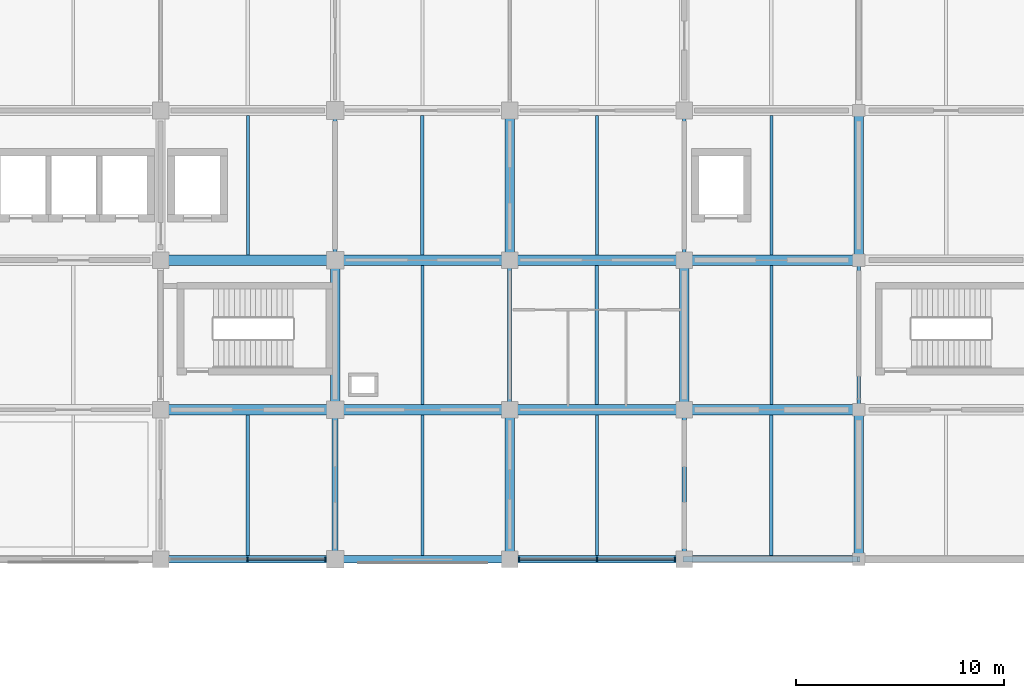
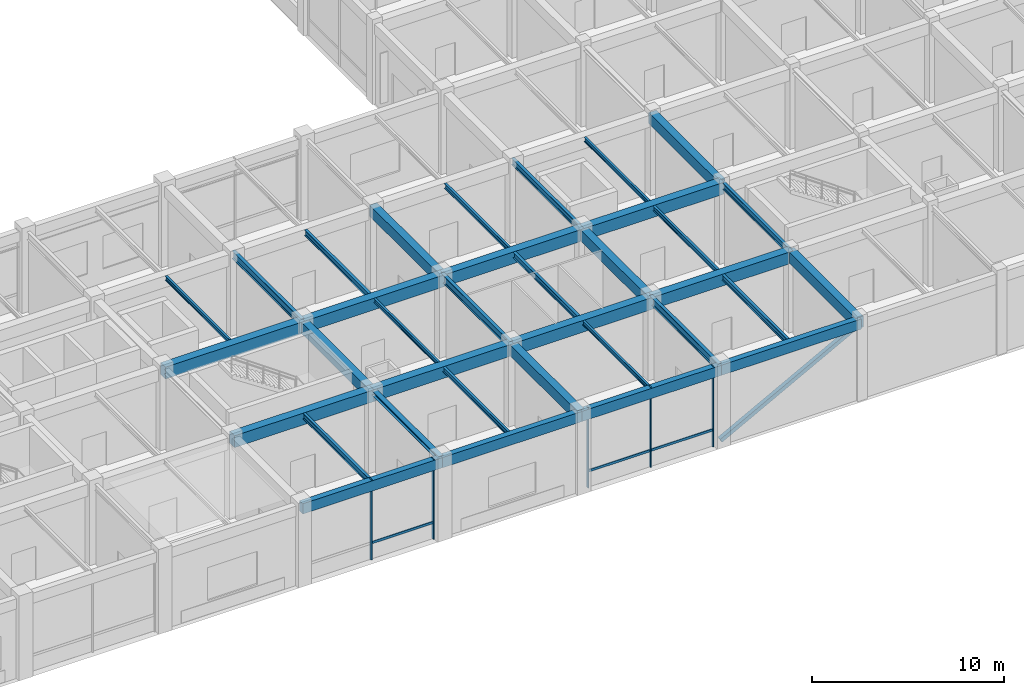
# One storey, part 9 of 38: 35 beams, 9 members, 2 elements without a shape of their own.
"""IFC4 building model written with IfcOpenShell, lengths in metres."""

from ifc_helpers import new_model, si_unit, derived_unit, direction, frame, origin, origin_2d, place, context, subcontext, project, spatial, rectangle, hollow_rectangle, i_section, extrude, material, material_profile, profile_set, type_object, element, aggregate, save


model = new_model("IFC4")

# Units and contexts
model_context = context("Model", 3, precision=1e-05, world=origin(), true_north=direction((0.0, 1.0)))
body_context = subcontext(model_context, "Body", "Model", "MODEL_VIEW")
ifc_project = project(units=[si_unit("LENGTHUNIT", "METRE"), si_unit("AREAUNIT", "SQUARE_METRE"), si_unit("VOLUMEUNIT", "CUBIC_METRE"), si_unit("PLANEANGLEUNIT", "RADIAN"), si_unit("MASSUNIT", "GRAM", prefix="KILO"), derived_unit("THERMALTRANSMITTANCEUNIT", [(si_unit("MASSUNIT", "GRAM", prefix="KILO"), 1), (si_unit("TIMEUNIT", "SECOND"), -3), (si_unit("THERMODYNAMICTEMPERATUREUNIT", "KELVIN"), -1)])], contexts=[model_context])

# Site, building, storey
site_placement = place(None, origin())
site = spatial("IfcSite", under=ifc_project, at=site_placement, CompositionType="ELEMENT")
building_placement = place(site_placement, origin())
building = spatial("IfcBuilding", under=site, at=building_placement, Name="Veldstrom Oceanarium and Marine Research Institute", CompositionType="ELEMENT")
storey_placement = place(building_placement, frame((0.0, 0.0, 11.39990234375)))
storey = spatial("IfcBuildingStorey", under=building, at=storey_placement, Name="L02", CompositionType="ELEMENT", Elevation=11.39990234375)

# Curtain wall, members
ifc_material_1 = material(Name="Anodised Aluminium Framing", Category="aluminium")
curtain_wall_type = type_object("IfcCurtainWallType", Name="ARC-CW-CW02", PredefinedType="USERDEFINED", material=ifc_material_1)
curtain_wall_1_placement = place(storey_placement, origin())
curtain_wall_1 = element("IfcCurtainWall", 1, at=curtain_wall_1_placement, inside=storey, type_object=curtain_wall_type, Name="Curtain Wall CW02 CW-L02-033", ObjectType="Curtain wall", PredefinedType="USERDEFINED")
ifc_material_2 = material(Name="Anodised Aluminium Framing", Category="aluminium")
ifc_material_profile_1 = material_profile(ifc_material_2, rectangle(XDim=0.074951171875, YDim=0.179931640625, at=origin_2d()), Name="ALU-MUL-75x180")
ifc_profile_set_1 = profile_set([ifc_material_profile_1], Name="Anodised Aluminium Framing")
member_type_1 = type_object("IfcMemberType", Name="ARC-MUL-ML1", PredefinedType="MULLION", material=ifc_profile_set_1)
member_1_placement = place(storey_placement, frame((96.58740234375, 43.199951171875, 0.0), z_axis=(0.0, 0.0, 1.0), x_axis=(1.0, 0.0, 0.0)))
member_1 = element("IfcMember", 2, at=member_1_placement, type_object=member_type_1, Name="Curtain Wall Mullion CW-L02-033-MUL-2", PredefinedType="MULLION", context=body_context, shape_type="SweptSolid", body=[
    extrude(rectangle(XDim=0.074951171875, YDim=0.179931640625, at=origin_2d()), origin(), (0.0, 0.0, 1.0), 5.10009765625),
])
member_2_placement = place(storey_placement, frame((100.3349609375, 43.199951171875, 0.0), z_axis=(0.0, 0.0, 1.0), x_axis=(1.0, 0.0, 0.0)))
member_2 = element("IfcMember", 3, at=member_2_placement, type_object=member_type_1, Name="Curtain Wall Mullion CW-L02-033-MUL-3", PredefinedType="MULLION", context=body_context, shape_type="SweptSolid", body=[
    extrude(rectangle(XDim=0.074951171875, YDim=0.179931640625, at=origin_2d()), origin(), (0.0, 0.0, 1.0), 5.10009765625),
])

curtain_wall_2_placement = place(storey_placement, origin())
curtain_wall_2 = element("IfcCurtainWall", 4, at=curtain_wall_2_placement, inside=storey, type_object=curtain_wall_type, Name="Curtain Wall CW02 CW-L02-035", ObjectType="Curtain wall", PredefinedType="USERDEFINED")
member_3_placement = place(storey_placement, frame((109.639892578125, 43.199951171875, 0.0), z_axis=(0.0, 0.0, 1.0), x_axis=(1.0, 0.0, 0.0)))
member_3 = element("IfcMember", 5, at=member_3_placement, type_object=member_type_1, Name="Curtain Wall Mullion CW-L02-035-MUL-1", PredefinedType="MULLION", context=body_context, shape_type="SweptSolid", body=[
    extrude(rectangle(XDim=0.074951171875, YDim=0.179931640625, at=origin_2d()), origin(), (0.0, 0.0, 1.0), 5.10009765625),
])
member_4_placement = place(storey_placement, frame((113.39990234375, 43.199951171875, 0.0), z_axis=(0.0, 0.0, 1.0), x_axis=(1.0, 0.0, 0.0)))
member_4 = element("IfcMember", 6, at=member_4_placement, type_object=member_type_1, Name="Curtain Wall Mullion CW-L02-035-MUL-2", PredefinedType="MULLION", context=body_context, shape_type="SweptSolid", body=[
    extrude(rectangle(XDim=0.074951171875, YDim=0.179931640625, at=origin_2d()), origin(), (0.0, 0.0, 1.0), 5.10009765625),
])
member_5_placement = place(storey_placement, frame((117.159912109375, 43.199951171875, 0.0), z_axis=(0.0, 0.0, 1.0), x_axis=(1.0, 0.0, 0.0)))
member_5 = element("IfcMember", 7, at=member_5_placement, type_object=member_type_1, Name="Curtain Wall Mullion CW-L02-035-MUL-3", PredefinedType="MULLION", context=body_context, shape_type="SweptSolid", body=[
    extrude(rectangle(XDim=0.074951171875, YDim=0.179931640625, at=origin_2d()), origin(), (0.0, 0.0, 1.0), 5.10009765625),
])

# Member
ifc_material_3 = material(Name="Anodised Aluminium Framing", Category="aluminium")
ifc_material_profile_2 = material_profile(ifc_material_3, rectangle(XDim=0.074951171875, YDim=0.14990234375, at=origin_2d()), Name="ALU-TRN-75x150")
ifc_profile_set_2 = profile_set([ifc_material_profile_2], Name="Anodised Aluminium Framing")
member_type_2 = type_object("IfcMemberType", Name="ARC-TRN-TR1", PredefinedType="USERDEFINED", material=ifc_profile_set_2)
member_6_placement = place(storey_placement, frame((96.62744140625, 43.199951171875, 1.050048828125), z_axis=(1.0, 0.0, 0.0), x_axis=(0.0, 1.0, 0.0)))
member_6 = element("IfcMember", 8, at=member_6_placement, type_object=member_type_2, Name="Curtain Wall Transom CW-L02-033-TRN-2", ObjectType="Transom", PredefinedType="USERDEFINED", context=body_context, shape_type="SweptSolid", body=[
    extrude(rectangle(XDim=0.074951171875, YDim=0.14990234375, at=origin_2d()), origin(), (0.0, 0.0, 1.0), 3.66748046875),
])

aggregate(curtain_wall_1, [member_1, member_2, member_6])

member_7_placement = place(storey_placement, frame((109.679931640625, 43.199951171875, 1.050048828125), z_axis=(1.0, 0.0, 0.0), x_axis=(0.0, 1.0, 0.0)))
member_7 = element("IfcMember", 9, at=member_7_placement, type_object=member_type_2, Name="Curtain Wall Transom CW-L02-035-TRN-1", ObjectType="Transom", PredefinedType="USERDEFINED", context=body_context, shape_type="SweptSolid", body=[
    extrude(rectangle(XDim=0.074951171875, YDim=0.14990234375, at=origin_2d()), origin(), (0.0, 0.0, 1.0), 3.68017578125),
])

member_8_placement = place(storey_placement, frame((113.43994140625, 43.199951171875, 1.050048828125), z_axis=(1.0, 0.0, 0.0), x_axis=(0.0, 1.0, 0.0)))
member_8 = element("IfcMember", 10, at=member_8_placement, type_object=member_type_2, Name="Curtain Wall Transom CW-L02-035-TRN-2", ObjectType="Transom", PredefinedType="USERDEFINED", context=body_context, shape_type="SweptSolid", body=[
    extrude(rectangle(XDim=0.074951171875, YDim=0.14990234375, at=origin_2d()), origin(), (0.0, 0.0, 1.0), 3.68017578125),
])

aggregate(curtain_wall_2, [member_3, member_4, member_5, member_7, member_8])

# Beams
ifc_material_4 = material(Name="Concrete C40/50", Category="concrete")
ifc_material_profile_3 = material_profile(ifc_material_4, rectangle(XDim=0.5, YDim=0.75, at=origin_2d()), Name="RC-BM-500x750")
ifc_profile_set_3 = profile_set([ifc_material_profile_3], Name="Concrete C40/50")
beam_type_1 = type_object("IfcBeamType", Name="STR-BM-B03", PredefinedType="BEAM", material=ifc_profile_set_3)
for number, where, z_axis, x_axis, name in (
    (11, (92.39990234375, 50.39990234375, 4.72021484375), (1.0, 0.0, 0.0), (0.0, 1.0, 0.0), "Primary Beam B03 L02-1568"),
    (12, (92.39990234375, 57.60009765625, 4.72021484375), (1.0, 0.0, 0.0), (0.0, 1.0, 0.0), "Primary Beam B03 L02-1569"),
):
    element("IfcBeam", number, at=place(storey_placement, frame(where, z_axis=z_axis, x_axis=x_axis)), inside=storey, type_object=beam_type_1, Name=name, PredefinedType="BEAM", context=body_context, shape_type="SweptSolid", body=[
        extrude(rectangle(XDim=0.5, YDim=0.75, at=origin_2d()), origin(), (0.0, 0.0, 1.0), 8.400146484375),
    ])
for number, where, z_axis, x_axis, name in (
    (13, (100.800048828125, 50.39990234375, 4.72021484375), (1.0, 0.0, 0.0), (0.0, 1.0, 0.0), "Primary Beam B03 L02-1573"),
    (14, (100.800048828125, 57.60009765625, 4.72021484375), (1.0, 0.0, 0.0), (0.0, 1.0, 0.0), "Primary Beam B03 L02-1574"),
):
    element("IfcBeam", number, at=place(storey_placement, frame(where, z_axis=z_axis, x_axis=x_axis)), inside=storey, type_object=beam_type_1, Name=name, PredefinedType="BEAM", context=body_context, shape_type="SweptSolid", body=[
        extrude(rectangle(XDim=0.5, YDim=0.75, at=origin_2d()), origin(), (0.0, 0.0, 1.0), 8.39990234375),
    ])
for number, where, z_axis, x_axis, name in (
    (15, (109.199951171875, 50.39990234375, 4.72021484375), (1.0, 0.0, 0.0), (0.0, 1.0, 0.0), "Primary Beam B03 L02-1578"),
    (16, (109.199951171875, 57.60009765625, 4.72021484375), (1.0, 0.0, 0.0), (0.0, 1.0, 0.0), "Primary Beam B03 L02-1579"),
):
    element("IfcBeam", number, at=place(storey_placement, frame(where, z_axis=z_axis, x_axis=x_axis)), inside=storey, type_object=beam_type_1, Name=name, PredefinedType="BEAM", context=body_context, shape_type="SweptSolid", body=[
        extrude(rectangle(XDim=0.5, YDim=0.75, at=origin_2d()), origin(), (0.0, 0.0, 1.0), 8.400146484375),
    ])
for number, where, z_axis, x_axis, name in (
    (17, (117.60009765625, 50.39990234375, 4.72021484375), (1.0, 0.0, 0.0), (0.0, 1.0, 0.0), "Primary Beam B03 L02-1583"),
    (18, (117.60009765625, 57.60009765625, 4.72021484375), (1.0, 0.0, 0.0), (0.0, 1.0, 0.0), "Primary Beam B03 L02-1584"),
):
    element("IfcBeam", number, at=place(storey_placement, frame(where, z_axis=z_axis, x_axis=x_axis)), inside=storey, type_object=beam_type_1, Name=name, PredefinedType="BEAM", context=body_context, shape_type="SweptSolid", body=[
        extrude(rectangle(XDim=0.5, YDim=0.75, at=origin_2d()), origin(), (0.0, 0.0, 1.0), 8.39990234375),
    ])
ifc_material_5 = material(Name="Concrete C40/50", Category="concrete")
ifc_material_profile_4 = material_profile(ifc_material_5, rectangle(XDim=0.449951171875, YDim=0.699951171875, at=origin_2d()), Name="RC-BM-450x700")
ifc_profile_set_4 = profile_set([ifc_material_profile_4], Name="Concrete C40/50")
beam_type_2 = type_object("IfcBeamType", Name="STR-BM-B04", PredefinedType="BEAM", material=ifc_profile_set_4)
beam_1_placement = place(storey_placement, frame((100.800048828125, 50.39990234375, 4.7451171875), z_axis=(0.0, 1.0, 0.0), x_axis=(-1.0, 0.0, 0.0)))
element("IfcBeam", 19, at=beam_1_placement, inside=storey, type_object=beam_type_2, Name="Primary Beam B04 L02-1698", PredefinedType="BEAM", context=body_context, shape_type="SweptSolid", body=[
    extrude(rectangle(XDim=0.449951171875, YDim=0.699951171875, at=origin_2d()), origin(), (0.0, 0.0, 1.0), 7.2001953125),
])
for number, where, z_axis, x_axis, name in (
    (20, (109.199951171875, 43.199951171875, 4.7451171875), (0.0, 1.0, 0.0), (-1.0, 0.0, 0.0), "Primary Beam B04 L02-1701"),
    (21, (109.199951171875, 57.60009765625, 4.7451171875), (0.0, 1.0, 0.0), (-1.0, 0.0, 0.0), "Primary Beam B04 L02-1703"),
):
    element("IfcBeam", number, at=place(storey_placement, frame(where, z_axis=z_axis, x_axis=x_axis)), inside=storey, type_object=beam_type_2, Name=name, PredefinedType="BEAM", context=body_context, shape_type="SweptSolid", body=[
        extrude(rectangle(XDim=0.449951171875, YDim=0.699951171875, at=origin_2d()), origin(), (0.0, 0.0, 1.0), 7.199951171875),
    ])
beam_2_placement = place(storey_placement, frame((117.60009765625, 50.39990234375, 4.7451171875), z_axis=(0.0, 1.0, 0.0), x_axis=(-1.0, 0.0, 0.0)))
element("IfcBeam", 22, at=beam_2_placement, inside=storey, type_object=beam_type_2, Name="Primary Beam B04 L02-1706", PredefinedType="BEAM", context=body_context, shape_type="SweptSolid", body=[
    extrude(rectangle(XDim=0.449951171875, YDim=0.699951171875, at=origin_2d()), origin(), (0.0, 0.0, 1.0), 7.2001953125),
])
for number, where, z_axis, x_axis, name in (
    (23, (126.0, 43.199951171875, 4.7451171875), (0.0, 1.0, 0.0), (-1.0, 0.0, 0.0), "Primary Beam B04 L02-1711"),
    (24, (126.0, 57.60009765625, 4.7451171875), (0.0, 1.0, 0.0), (-1.0, 0.0, 0.0), "Primary Beam B04 L02-1713"),
):
    element("IfcBeam", number, at=place(storey_placement, frame(where, z_axis=z_axis, x_axis=x_axis)), inside=storey, type_object=beam_type_2, Name=name, PredefinedType="BEAM", context=body_context, shape_type="SweptSolid", body=[
        extrude(rectangle(XDim=0.449951171875, YDim=0.699951171875, at=origin_2d()), origin(), (0.0, 0.0, 1.0), 7.199951171875),
    ])
ifc_material_6 = material(Name="Steel S355JR", Category="steel")
ifc_material_profile_5 = material_profile(ifc_material_6, i_section(OverallWidth=0.300048828125, OverallDepth=0.2900390625, WebThickness=0.008544921875, FlangeThickness=0.013916015625, FilletRadius=0.027099609375, at=origin_2d()), Name="HEA 300")
ifc_profile_set_5 = profile_set([ifc_material_profile_5], Name="Steel S355JR")
beam_type_3 = type_object("IfcBeamType", Name="STR-BM-SB10", PredefinedType="BEAM", material=ifc_profile_set_5)
beam_3_placement = place(storey_placement, frame((100.800048828125, 43.199951171875, 4.9501953125), z_axis=(0.0, 1.0, 0.0), x_axis=(-1.0, 0.0, 0.0)))
element("IfcBeam", 25, at=beam_3_placement, inside=storey, type_object=beam_type_3, Name="Steel Tie Beam SB10 L02-1697", PredefinedType="BEAM", context=body_context, shape_type="SweptSolid", body=[
    extrude(i_section(OverallWidth=0.300048828125, OverallDepth=0.2900390625, WebThickness=0.008544921875, FlangeThickness=0.013916015625, FilletRadius=0.027099609375, at=origin_2d()), origin(), (0.0, 0.0, 1.0), 7.199951171875),
])
ifc_material_7 = material(Name="Steel S355JR", Category="steel")
ifc_material_profile_6 = material_profile(ifc_material_7, i_section(OverallWidth=0.199951171875, OverallDepth=0.5, WebThickness=0.01025390625, FlangeThickness=0.01611328125, FilletRadius=0.02099609375, at=origin_2d()), Name="IPE 500")
ifc_profile_set_6 = profile_set([ifc_material_profile_6], Name="Steel S355JR")
beam_type_4 = type_object("IfcBeamType", Name="STR-BM-SB6", PredefinedType="BEAM", material=ifc_profile_set_6)
beam_4_placement = place(storey_placement, frame((100.800048828125, 57.60009765625, 4.84521484375), z_axis=(0.0, 1.0, 0.0), x_axis=(-1.0, 0.0, 0.0)))
element("IfcBeam", 26, at=beam_4_placement, inside=storey, type_object=beam_type_4, Name="Steel Tie Beam SB6 L02-1699", PredefinedType="BEAM", context=body_context, shape_type="SweptSolid", body=[
    extrude(i_section(OverallWidth=0.199951171875, OverallDepth=0.5, WebThickness=0.01025390625, FlangeThickness=0.01611328125, FilletRadius=0.02099609375, at=origin_2d()), origin(), (0.0, 0.0, 1.0), 7.199951171875),
])
beam_5_placement = place(storey_placement, frame((109.199951171875, 50.39990234375, 4.84521484375), z_axis=(0.0, 1.0, 0.0), x_axis=(-1.0, 0.0, 0.0)))
element("IfcBeam", 27, at=beam_5_placement, inside=storey, type_object=beam_type_4, Name="Steel Tie Beam SB6 L02-1702", PredefinedType="BEAM", context=body_context, shape_type="SweptSolid", body=[
    extrude(i_section(OverallWidth=0.199951171875, OverallDepth=0.5, WebThickness=0.01025390625, FlangeThickness=0.01611328125, FilletRadius=0.02099609375, at=origin_2d()), origin(), (0.0, 0.0, 1.0), 7.2001953125),
])
beam_6_placement = place(storey_placement, frame((117.60009765625, 43.199951171875, 4.84521484375), z_axis=(0.0, 1.0, 0.0), x_axis=(-1.0, 0.0, 0.0)))
element("IfcBeam", 28, at=beam_6_placement, inside=storey, type_object=beam_type_4, Name="Steel Tie Beam SB6 L02-1705", PredefinedType="BEAM", context=body_context, shape_type="SweptSolid", body=[
    extrude(i_section(OverallWidth=0.199951171875, OverallDepth=0.5, WebThickness=0.01025390625, FlangeThickness=0.01611328125, FilletRadius=0.02099609375, at=origin_2d()), origin(), (0.0, 0.0, 1.0), 7.199951171875),
])
ifc_material_8 = material(Name="Steel S355JR", Category="steel")
ifc_material_profile_7 = material_profile(ifc_material_8, i_section(OverallWidth=0.179931640625, OverallDepth=0.39990234375, WebThickness=0.008544921875, FlangeThickness=0.013427734375, FilletRadius=0.02099609375, at=origin_2d()), Name="IPE 400")
ifc_profile_set_7 = profile_set([ifc_material_profile_7], Name="Steel S355JR")
beam_type_5 = type_object("IfcBeamType", Name="STR-BM-SB8", PredefinedType="BEAM", material=ifc_profile_set_7)
beam_7_placement = place(storey_placement, frame((117.60009765625, 57.60009765625, 4.89501953125), z_axis=(0.0, 1.0, 0.0), x_axis=(-1.0, 0.0, 0.0)))
element("IfcBeam", 29, at=beam_7_placement, inside=storey, type_object=beam_type_5, Name="Steel Tie Beam SB8 L02-1707", PredefinedType="BEAM", context=body_context, shape_type="SweptSolid", body=[
    extrude(i_section(OverallWidth=0.179931640625, OverallDepth=0.39990234375, WebThickness=0.008544921875, FlangeThickness=0.013427734375, FilletRadius=0.02099609375, at=origin_2d()), origin(), (0.0, 0.0, 1.0), 7.199951171875),
])
beam_8_placement = place(storey_placement, frame((126.0, 50.39990234375, 4.89501953125), z_axis=(0.0, 1.0, 0.0), x_axis=(-1.0, 0.0, 0.0)))
element("IfcBeam", 30, at=beam_8_placement, inside=storey, type_object=beam_type_5, Name="Steel Tie Beam SB8 L02-1712", PredefinedType="BEAM", context=body_context, shape_type="SweptSolid", body=[
    extrude(i_section(OverallWidth=0.179931640625, OverallDepth=0.39990234375, WebThickness=0.008544921875, FlangeThickness=0.013427734375, FilletRadius=0.02099609375, at=origin_2d()), origin(), (0.0, 0.0, 1.0), 7.2001953125),
])
ifc_material_9 = material(Name="Steel S355JR", Category="steel")
ifc_material_profile_8 = material_profile(ifc_material_9, i_section(OverallWidth=0.169921875, OverallDepth=0.360107421875, WebThickness=0.008056640625, FlangeThickness=0.0126953125, FilletRadius=0.01806640625, at=origin_2d()), Name="IPE 360")
ifc_profile_set_8 = profile_set([ifc_material_profile_8], Name="Steel S355JR")
beam_type_6 = type_object("IfcBeamType", Name="STR-JST-SJ1", PredefinedType="JOIST", material=ifc_profile_set_8)
beam_9_placement = place(storey_placement, frame((96.60009765625, 43.375, 4.9150390625), z_axis=(0.0, 1.0, 0.0), x_axis=(-1.0, 0.0, 0.0)))
element("IfcBeam", 31, at=beam_9_placement, inside=storey, type_object=beam_type_6, Name="Secondary Joist SJ1 L02-1800", PredefinedType="JOIST", context=body_context, shape_type="SweptSolid", body=[
    extrude(i_section(OverallWidth=0.169921875, OverallDepth=0.360107421875, WebThickness=0.008056640625, FlangeThickness=0.0126953125, FilletRadius=0.01806640625, at=origin_2d()), origin(), (0.0, 0.0, 1.0), 6.77490234375),
])
beam_10_placement = place(storey_placement, frame((105.0, 57.85009765625, 4.9150390625), z_axis=(0.0, 1.0, 0.0), x_axis=(-1.0, 0.0, 0.0)))
element("IfcBeam", 32, at=beam_10_placement, inside=storey, type_object=beam_type_6, Name="Secondary Joist SJ1 L02-1805", PredefinedType="JOIST", context=body_context, shape_type="SweptSolid", body=[
    extrude(i_section(OverallWidth=0.169921875, OverallDepth=0.360107421875, WebThickness=0.008056640625, FlangeThickness=0.0126953125, FilletRadius=0.01806640625, at=origin_2d()), origin(), (0.0, 0.0, 1.0), 6.699951171875),
])
beam_11_placement = place(storey_placement, frame((113.39990234375, 50.64990234375, 4.9150390625), z_axis=(0.0, 1.0, 0.0), x_axis=(-1.0, 0.0, 0.0)))
element("IfcBeam", 33, at=beam_11_placement, inside=storey, type_object=beam_type_6, Name="Secondary Joist SJ1 L02-1808", PredefinedType="JOIST", context=body_context, shape_type="SweptSolid", body=[
    extrude(i_section(OverallWidth=0.169921875, OverallDepth=0.360107421875, WebThickness=0.008056640625, FlangeThickness=0.0126953125, FilletRadius=0.01806640625, at=origin_2d()), origin(), (0.0, 0.0, 1.0), 6.7001953125),
])
beam_12_placement = place(storey_placement, frame((121.800048828125, 43.375, 4.9150390625), z_axis=(0.0, 1.0, 0.0), x_axis=(-1.0, 0.0, 0.0)))
element("IfcBeam", 34, at=beam_12_placement, inside=storey, type_object=beam_type_6, Name="Secondary Joist SJ1 L02-1811", PredefinedType="JOIST", context=body_context, shape_type="SweptSolid", body=[
    extrude(i_section(OverallWidth=0.169921875, OverallDepth=0.360107421875, WebThickness=0.008056640625, FlangeThickness=0.0126953125, FilletRadius=0.01806640625, at=origin_2d()), origin(), (0.0, 0.0, 1.0), 6.77490234375),
])
ifc_material_10 = material(Name="Steel S355JR", Category="steel")
ifc_material_profile_9 = material_profile(ifc_material_10, i_section(OverallWidth=0.14990234375, OverallDepth=0.300048828125, WebThickness=0.007080078125, FlangeThickness=0.0107421875, FilletRadius=0.014892578125, at=origin_2d()), Name="IPE 300")
ifc_profile_set_9 = profile_set([ifc_material_profile_9], Name="Steel S355JR")
beam_type_7 = type_object("IfcBeamType", Name="STR-JST-SJ2", PredefinedType="JOIST", material=ifc_profile_set_9)
beam_13_placement = place(storey_placement, frame((105.0, 43.375, 4.945068359375), z_axis=(0.0, 1.0, 0.0), x_axis=(-1.0, 0.0, 0.0)))
element("IfcBeam", 35, at=beam_13_placement, inside=storey, type_object=beam_type_7, Name="Secondary Joist SJ2 L02-1803", PredefinedType="JOIST", context=body_context, shape_type="SweptSolid", body=[
    extrude(i_section(OverallWidth=0.14990234375, OverallDepth=0.300048828125, WebThickness=0.007080078125, FlangeThickness=0.0107421875, FilletRadius=0.014892578125, at=origin_2d()), origin(), (0.0, 0.0, 1.0), 6.77490234375),
])
beam_14_placement = place(storey_placement, frame((113.39990234375, 57.85009765625, 4.945068359375), z_axis=(0.0, 1.0, 0.0), x_axis=(-1.0, 0.0, 0.0)))
element("IfcBeam", 36, at=beam_14_placement, inside=storey, type_object=beam_type_7, Name="Secondary Joist SJ2 L02-1809", PredefinedType="JOIST", context=body_context, shape_type="SweptSolid", body=[
    extrude(i_section(OverallWidth=0.14990234375, OverallDepth=0.300048828125, WebThickness=0.007080078125, FlangeThickness=0.0107421875, FilletRadius=0.014892578125, at=origin_2d()), origin(), (0.0, 0.0, 1.0), 6.699951171875),
])
beam_15_placement = place(storey_placement, frame((121.800048828125, 50.64990234375, 4.945068359375), z_axis=(0.0, 1.0, 0.0), x_axis=(-1.0, 0.0, 0.0)))
element("IfcBeam", 37, at=beam_15_placement, inside=storey, type_object=beam_type_7, Name="Secondary Joist SJ2 L02-1812", PredefinedType="JOIST", context=body_context, shape_type="SweptSolid", body=[
    extrude(i_section(OverallWidth=0.14990234375, OverallDepth=0.300048828125, WebThickness=0.007080078125, FlangeThickness=0.0107421875, FilletRadius=0.014892578125, at=origin_2d()), origin(), (0.0, 0.0, 1.0), 6.7001953125),
])
ifc_material_11 = material(Name="Steel S355JR", Category="steel")
ifc_material_profile_10 = material_profile(ifc_material_11, i_section(OverallWidth=0.135009765625, OverallDepth=0.27001953125, WebThickness=0.006591796875, FlangeThickness=0.01025390625, FilletRadius=0.014892578125, at=origin_2d()), Name="IPE 270")
ifc_profile_set_10 = profile_set([ifc_material_profile_10], Name="Steel S355JR")
beam_type_8 = type_object("IfcBeamType", Name="STR-JST-SJ3", PredefinedType="JOIST", material=ifc_profile_set_10)
beam_16_placement = place(storey_placement, frame((96.60009765625, 57.85009765625, 4.960205078125), z_axis=(0.0, 1.0, 0.0), x_axis=(-1.0, 0.0, 0.0)))
element("IfcBeam", 38, at=beam_16_placement, inside=storey, type_object=beam_type_8, Name="Secondary Joist SJ3 L02-1801", PredefinedType="JOIST", context=body_context, shape_type="SweptSolid", body=[
    extrude(i_section(OverallWidth=0.135009765625, OverallDepth=0.27001953125, WebThickness=0.006591796875, FlangeThickness=0.01025390625, FilletRadius=0.014892578125, at=origin_2d()), origin(), (0.0, 0.0, 1.0), 6.699951171875),
])
beam_17_placement = place(storey_placement, frame((105.0, 50.64990234375, 4.960205078125), z_axis=(0.0, 1.0, 0.0), x_axis=(-1.0, 0.0, 0.0)))
element("IfcBeam", 39, at=beam_17_placement, inside=storey, type_object=beam_type_8, Name="Secondary Joist SJ3 L02-1804", PredefinedType="JOIST", context=body_context, shape_type="SweptSolid", body=[
    extrude(i_section(OverallWidth=0.135009765625, OverallDepth=0.27001953125, WebThickness=0.006591796875, FlangeThickness=0.01025390625, FilletRadius=0.014892578125, at=origin_2d()), origin(), (0.0, 0.0, 1.0), 6.7001953125),
])
beam_18_placement = place(storey_placement, frame((113.39990234375, 43.375, 4.960205078125), z_axis=(0.0, 1.0, 0.0), x_axis=(-1.0, 0.0, 0.0)))
element("IfcBeam", 40, at=beam_18_placement, inside=storey, type_object=beam_type_8, Name="Secondary Joist SJ3 L02-1807", PredefinedType="JOIST", context=body_context, shape_type="SweptSolid", body=[
    extrude(i_section(OverallWidth=0.135009765625, OverallDepth=0.27001953125, WebThickness=0.006591796875, FlangeThickness=0.01025390625, FilletRadius=0.014892578125, at=origin_2d()), origin(), (0.0, 0.0, 1.0), 6.77490234375),
])
beam_19_placement = place(storey_placement, frame((121.800048828125, 57.85009765625, 4.960205078125), z_axis=(0.0, 1.0, 0.0), x_axis=(-1.0, 0.0, 0.0)))
element("IfcBeam", 41, at=beam_19_placement, inside=storey, type_object=beam_type_8, Name="Secondary Joist SJ3 L02-1813", PredefinedType="JOIST", context=body_context, shape_type="SweptSolid", body=[
    extrude(i_section(OverallWidth=0.135009765625, OverallDepth=0.27001953125, WebThickness=0.006591796875, FlangeThickness=0.01025390625, FilletRadius=0.014892578125, at=origin_2d()), origin(), (0.0, 0.0, 1.0), 6.699951171875),
])

# Member
ifc_material_12 = material(Name="Steel S355JR", Category="steel")
ifc_material_profile_11 = material_profile(ifc_material_12, hollow_rectangle(XDim=0.25, YDim=0.25, WallThickness=0.012451171875, at=origin_2d()), Name="SHS 250x250x12.5")
ifc_profile_set_11 = profile_set([ifc_material_profile_11], Name="Steel S355JR")
member_type_3 = type_object("IfcMemberType", Name="STR-MEM-CH1", PredefinedType="CHORD", material=ifc_profile_set_11)
member_9_placement = place(storey_placement, frame((117.60009765625, 43.199951171875, 0.25), z_axis=(0.881477684796, 0.0, 0.472225678258), x_axis=(0.0, 1.0, 0.0)))
element("IfcMember", 42, at=member_9_placement, inside=storey, type_object=member_type_3, Name="Party-Wall Lateral Brace LB-L02-0624", PredefinedType="CHORD", context=body_context, shape_type="SweptSolid", body=[
    extrude(hollow_rectangle(XDim=0.25, YDim=0.25, WallThickness=0.012451171875, at=origin_2d()), origin(), (0.0, 0.0, 1.0), 9.529296875),
])

# Beams
ifc_material_13 = material(Name="Concrete C40/50", Category="concrete")
ifc_material_profile_12 = material_profile(ifc_material_13, rectangle(XDim=0.35009765625, YDim=0.64990234375, at=origin_2d()), Name="RC-SPN-350x650")
ifc_profile_set_12 = profile_set([ifc_material_profile_12], Name="Concrete C40/50")
beam_type_9 = type_object("IfcBeamType", Name="STR-SPN-SP1", PredefinedType="SPANDREL", material=ifc_profile_set_12)
beam_20_placement = place(storey_placement, frame((92.39990234375, 43.199951171875, 4.77001953125), z_axis=(1.0, 0.0, 0.0), x_axis=(0.0, 1.0, 0.0)))
element("IfcBeam", 43, at=beam_20_placement, inside=storey, type_object=beam_type_9, Name="Perimeter Spandrel SPB1 L02-1567", PredefinedType="SPANDREL", context=body_context, shape_type="SweptSolid", body=[
    extrude(rectangle(XDim=0.35009765625, YDim=0.64990234375, at=origin_2d()), origin(), (0.0, 0.0, 1.0), 8.400146484375),
])
beam_21_placement = place(storey_placement, frame((100.800048828125, 43.199951171875, 4.77001953125), z_axis=(1.0, 0.0, 0.0), x_axis=(0.0, 1.0, 0.0)))
element("IfcBeam", 44, at=beam_21_placement, inside=storey, type_object=beam_type_9, Name="Perimeter Spandrel SPB1 L02-1572", PredefinedType="SPANDREL", context=body_context, shape_type="SweptSolid", body=[
    extrude(rectangle(XDim=0.35009765625, YDim=0.64990234375, at=origin_2d()), origin(), (0.0, 0.0, 1.0), 8.39990234375),
])
beam_22_placement = place(storey_placement, frame((109.199951171875, 43.199951171875, 4.77001953125), z_axis=(1.0, 0.0, 0.0), x_axis=(0.0, 1.0, 0.0)))
element("IfcBeam", 45, at=beam_22_placement, inside=storey, type_object=beam_type_9, Name="Perimeter Spandrel SPB1 L02-1577", PredefinedType="SPANDREL", context=body_context, shape_type="SweptSolid", body=[
    extrude(rectangle(XDim=0.35009765625, YDim=0.64990234375, at=origin_2d()), origin(), (0.0, 0.0, 1.0), 8.400146484375),
])
beam_23_placement = place(storey_placement, frame((117.60009765625, 43.199951171875, 4.77001953125), z_axis=(1.0, 0.0, 0.0), x_axis=(0.0, 1.0, 0.0)))
element("IfcBeam", 46, at=beam_23_placement, inside=storey, type_object=beam_type_9, Name="Perimeter Spandrel SPB1 L02-1582", PredefinedType="SPANDREL", context=body_context, shape_type="SweptSolid", body=[
    extrude(rectangle(XDim=0.35009765625, YDim=0.64990234375, at=origin_2d()), origin(), (0.0, 0.0, 1.0), 8.39990234375),
])

save(model, "model.ifc")
